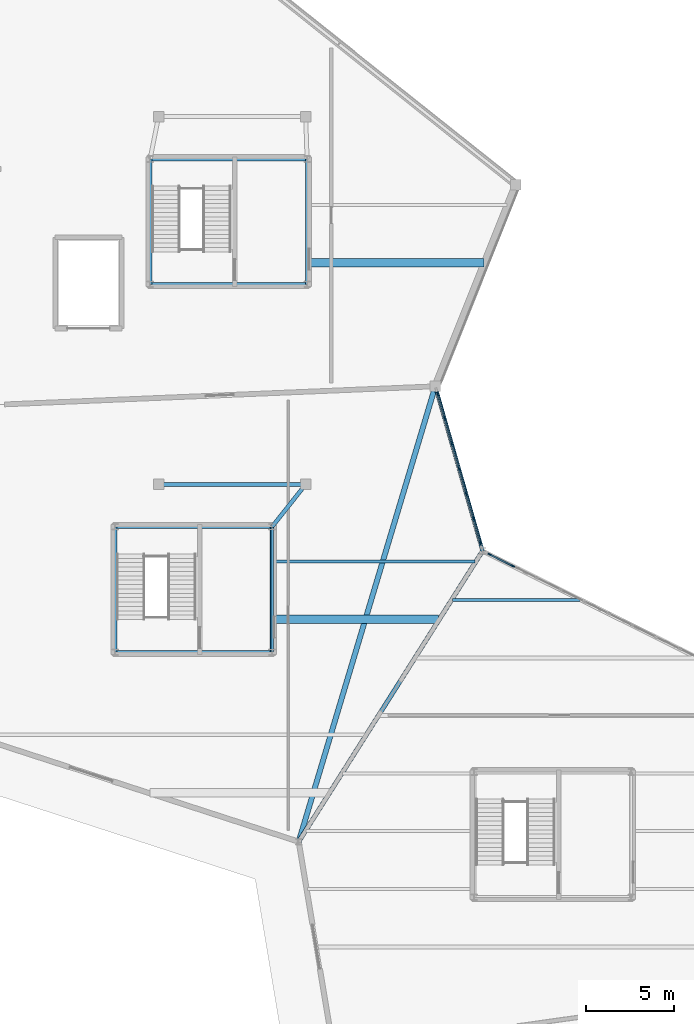
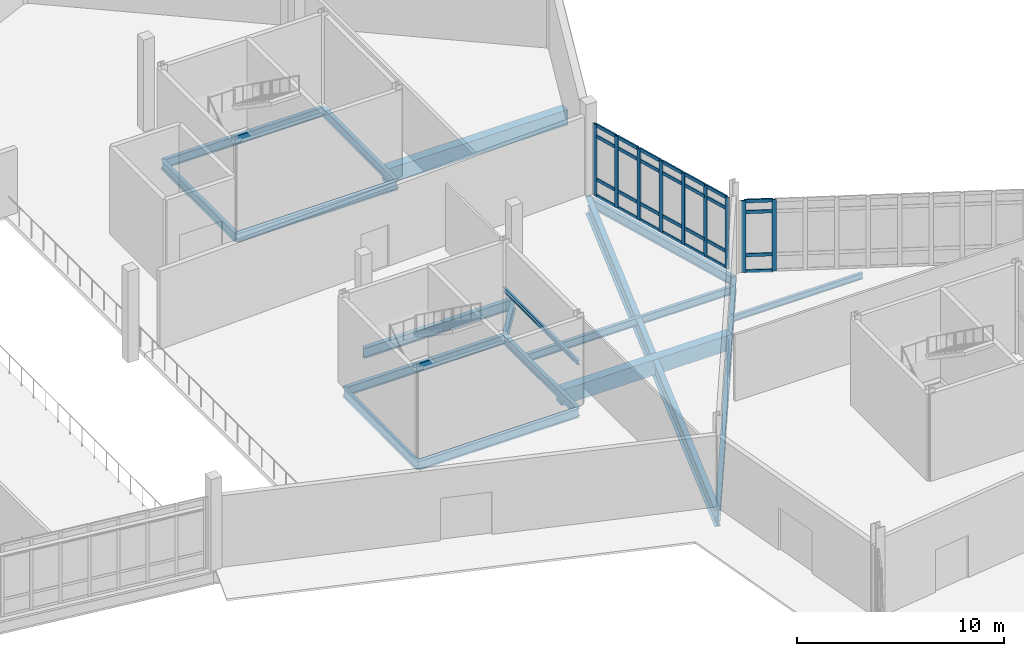
# One storey, part 46 of 113: 37 members, 18 beams, 2 elements without a shape of their own.
"""IFC4 building model written with IfcOpenShell, lengths in metres."""

from ifc_helpers import new_model, si_unit, direction, frame, origin, origin_2d, place, context, subcontext, project, spatial, rectangle, i_section, extrude, material, material_profile, profile_set, type_object, element, aggregate, save


model = new_model("IFC4")

# Units and contexts
model_context = context("Model", 3, precision=1e-05, world=origin(), true_north=direction((0.0, 1.0)))
body_context = subcontext(model_context, "Body", "Model", "MODEL_VIEW")
ifc_project = project(units=[si_unit("LENGTHUNIT", "METRE"), si_unit("AREAUNIT", "SQUARE_METRE"), si_unit("VOLUMEUNIT", "CUBIC_METRE"), si_unit("PLANEANGLEUNIT", "RADIAN"), si_unit("MASSUNIT", "GRAM", prefix="KILO")], contexts=[model_context])

# Site, building, storey
site_placement = place(None, origin())
site = spatial("IfcSite", under=ifc_project, at=site_placement, CompositionType="ELEMENT")
building_placement = place(site_placement, origin())
building = spatial("IfcBuilding", under=site, at=building_placement, Name="Tameran Prism Museum", CompositionType="ELEMENT")
storey_placement = place(building_placement, origin())
storey = spatial("IfcBuildingStorey", under=building, at=storey_placement, Name="L00", CompositionType="ELEMENT", Elevation=0.0)

# Beams
ifc_material_1 = material(Name="Steel Grade 300PLUS (300 MPa)", Category="steel")
ifc_material_profile_1 = material_profile(ifc_material_1, i_section(OverallWidth=0.1708984375, OverallDepth=0.35595703125, WebThickness=0.00732421875, FlangeThickness=0.011474609375, FilletRadius=0.011474609375, at=origin_2d()))
ifc_profile_set_1 = profile_set([ifc_material_profile_1])
beam_type_1 = type_object("IfcBeamType", Name="BM-J360B", PredefinedType="JOIST", material=ifc_profile_set_1)
beam_1_placement = place(storey_placement, frame((58.77587890625, 70.39990234375, -0.41796875), z_axis=(1.0, 0.0, 0.0), x_axis=(0.0, 1.0, 0.0)))
element("IfcBeam", 1, at=beam_1_placement, inside=storey, type_object=beam_type_1, Name="Floor Beam BM-0227", PredefinedType="JOIST", context=body_context, shape_type="SweptSolid", body=[
    extrude(i_section(OverallWidth=0.1708984375, OverallDepth=0.35595703125, WebThickness=0.00732421875, FlangeThickness=0.011474609375, FilletRadius=0.011474609375, at=origin_2d()), origin(), (0.0, 0.0, 1.0), 7.273193359375),
])
ifc_material_2 = material(Name="Steel Grade 300PLUS (300 MPa)", Category="steel")
ifc_material_profile_2 = material_profile(ifc_material_2, i_section(OverallWidth=0.19091796875, OverallDepth=0.4599609375, WebThickness=0.010009765625, FlangeThickness=0.01611328125, FilletRadius=0.011474609375, at=origin_2d()))
ifc_profile_set_2 = profile_set([ifc_material_profile_2])
beam_type_2 = type_object("IfcBeamType", Name="BM-J460A", PredefinedType="JOIST", material=ifc_profile_set_2)
beam_2_placement = place(storey_placement, frame((48.47998046875, 72.60009765625, -0.489990234375), z_axis=(1.0, 0.0, 0.0), x_axis=(0.0, 1.0, 0.0)))
element("IfcBeam", 2, at=beam_2_placement, inside=storey, type_object=beam_type_2, Name="Floor Beam BM-0289", PredefinedType="JOIST", context=body_context, shape_type="SweptSolid", body=[
    extrude(i_section(OverallWidth=0.19091796875, OverallDepth=0.4599609375, WebThickness=0.010009765625, FlangeThickness=0.01611328125, FilletRadius=0.011474609375, at=origin_2d()), origin(), (0.0, 0.0, 1.0), 11.593017578125),
])
ifc_material_3 = material(Name="Steel Grade 300PLUS (300 MPa)", Category="steel")
ifc_material_profile_3 = material_profile(ifc_material_3, i_section(OverallWidth=0.14599609375, OverallDepth=0.256103515625, WebThickness=0.00634765625, FlangeThickness=0.010986328125, FilletRadius=0.0087890625, at=origin_2d()))
ifc_profile_set_3 = profile_set([ifc_material_profile_3])
beam_type_3 = type_object("IfcBeamType", Name="BM-L250", PredefinedType="LINTEL", material=ifc_profile_set_3)
beam_3_placement = place(storey_placement, frame((48.47998046875, 67.419921875, 2.3798828125), z_axis=(0.0, 1.0, 0.0), x_axis=(-1.0, 0.0, 0.0)))
element("IfcBeam", 3, at=beam_3_placement, inside=storey, type_object=beam_type_3, Name="Core Door Lintel LN-07", PredefinedType="LINTEL", context=body_context, shape_type="SweptSolid", body=[
    extrude(i_section(OverallWidth=0.14599609375, OverallDepth=0.256103515625, WebThickness=0.00634765625, FlangeThickness=0.010986328125, FilletRadius=0.0087890625, at=origin_2d()), origin(), (0.0, 0.0, 1.0), 7.16015625),
])
ifc_material_4 = material(Name="Concrete N40 (40 MPa)", Category="concrete")
ifc_material_profile_4 = material_profile(ifc_material_4, rectangle(XDim=0.5, YDim=0.89990234375, at=origin_2d()))
ifc_profile_set_4 = profile_set([ifc_material_profile_4])
beam_type_4 = type_object("IfcBeamType", Name="BM-RC900", PredefinedType="BEAM", material=ifc_profile_set_4)
beam_4_placement = place(storey_placement, frame((48.47998046875, 69.300048828125, -0.7099609375), z_axis=(1.0, 0.0, 0.0), x_axis=(0.0, 1.0, 0.0)))
element("IfcBeam", 4, at=beam_4_placement, inside=storey, type_object=beam_type_4, Name="Floor Beam BM-0287", PredefinedType="BEAM", context=body_context, shape_type="SweptSolid", body=[
    extrude(rectangle(XDim=0.5, YDim=0.89990234375, at=origin_2d()), origin(), (0.0, 0.0, 1.0), 9.506103515625),
])
beam_5_placement = place(storey_placement, frame((50.47998046875, 89.64990234375, -0.7099609375), z_axis=(1.0, 0.0, 0.0), x_axis=(0.0, 1.0, 0.0)))
element("IfcBeam", 5, at=beam_5_placement, inside=storey, type_object=beam_type_4, Name="Floor Beam BM-0296", PredefinedType="BEAM", context=body_context, shape_type="SweptSolid", body=[
    extrude(rectangle(XDim=0.5, YDim=0.89990234375, at=origin_2d()), origin(), (0.0, 0.0, 1.0), 10.096923828125),
])
ifc_material_5 = material(Name="Steel Grade 300PLUS (300 MPa)", Category="steel")
ifc_material_profile_5 = material_profile(ifc_material_5, i_section(OverallWidth=0.208984375, OverallDepth=0.532958984375, WebThickness=0.01025390625, FlangeThickness=0.015625, FilletRadius=0.013916015625, at=origin_2d()))
ifc_profile_set_5 = profile_set([ifc_material_profile_5])
beam_type_5 = type_object("IfcBeamType", Name="BM-SP530A", PredefinedType="SPANDREL", material=ifc_profile_set_5)
beam_6_placement = place(storey_placement, frame((60.5, 73.199951171875, -0.526611328125), z_axis=(-0.276062724343, 0.96113962161, 0.0), x_axis=(-0.96113962161, -0.276062724343, 0.0)))
element("IfcBeam", 6, at=beam_6_placement, inside=storey, type_object=beam_type_5, Name="Perimeter Spandrel SP-0075", PredefinedType="SPANDREL", context=body_context, shape_type="SweptSolid", body=[
    extrude(i_section(OverallWidth=0.208984375, OverallDepth=0.532958984375, WebThickness=0.01025390625, FlangeThickness=0.015625, FilletRadius=0.013916015625, at=origin_2d()), origin(), (0.0, 0.0, 1.0), 9.7802734375),
])
ifc_material_6 = material(Name="Steel Grade 300PLUS (300 MPa)", Category="steel")
ifc_material_profile_6 = material_profile(ifc_material_6, i_section(OverallWidth=0.208984375, OverallDepth=0.528076171875, WebThickness=0.009521484375, FlangeThickness=0.01318359375, FilletRadius=0.013916015625, at=origin_2d()))
ifc_profile_set_6 = profile_set([ifc_material_profile_6])
beam_type_6 = type_object("IfcBeamType", Name="BM-SP530B", PredefinedType="SPANDREL", material=ifc_profile_set_6)
beam_7_placement = place(storey_placement, frame((39.52001953125, 67.419921875, -0.52392578125), z_axis=(1.0, 0.0, 0.0), x_axis=(0.0, 1.0, 0.0)))
element("IfcBeam", 7, at=beam_7_placement, inside=storey, type_object=beam_type_6, Name="Core Ring Beam CTB-0126", PredefinedType="SPANDREL", context=body_context, shape_type="SweptSolid", body=[
    extrude(i_section(OverallWidth=0.208984375, OverallDepth=0.528076171875, WebThickness=0.009521484375, FlangeThickness=0.01318359375, FilletRadius=0.013916015625, at=origin_2d()), origin(), (0.0, 0.0, 1.0), 8.9599609375),
])
beam_8_placement = place(storey_placement, frame((48.47998046875, 67.419921875, -0.52392578125), z_axis=(0.0, 1.0, 0.0), x_axis=(-1.0, 0.0, 0.0)))
element("IfcBeam", 8, at=beam_8_placement, inside=storey, type_object=beam_type_6, Name="Core Ring Beam CTB-0127", PredefinedType="SPANDREL", context=body_context, shape_type="SweptSolid", body=[
    extrude(i_section(OverallWidth=0.208984375, OverallDepth=0.528076171875, WebThickness=0.009521484375, FlangeThickness=0.01318359375, FilletRadius=0.013916015625, at=origin_2d()), origin(), (0.0, 0.0, 1.0), 7.16015625),
])
beam_9_placement = place(storey_placement, frame((48.47998046875, 74.580078125, -0.52392578125), z_axis=(-1.0, 0.0, 0.0), x_axis=(0.0, -1.0, 0.0)))
element("IfcBeam", 9, at=beam_9_placement, inside=storey, type_object=beam_type_6, Name="Core Ring Beam CTB-0128", PredefinedType="SPANDREL", context=body_context, shape_type="SweptSolid", body=[
    extrude(i_section(OverallWidth=0.208984375, OverallDepth=0.528076171875, WebThickness=0.009521484375, FlangeThickness=0.01318359375, FilletRadius=0.013916015625, at=origin_2d()), origin(), (0.0, 0.0, 1.0), 8.9599609375),
])
beam_10_placement = place(storey_placement, frame((39.52001953125, 74.580078125, -0.52392578125), z_axis=(0.0, -1.0, 0.0), x_axis=(1.0, 0.0, 0.0)))
element("IfcBeam", 10, at=beam_10_placement, inside=storey, type_object=beam_type_6, Name="Core Ring Beam CTB-0129", PredefinedType="SPANDREL", context=body_context, shape_type="SweptSolid", body=[
    extrude(i_section(OverallWidth=0.208984375, OverallDepth=0.528076171875, WebThickness=0.009521484375, FlangeThickness=0.01318359375, FilletRadius=0.013916015625, at=origin_2d()), origin(), (0.0, 0.0, 1.0), 7.16015625),
])
beam_11_placement = place(storey_placement, frame((41.52001953125, 88.419921875, -0.52392578125), z_axis=(1.0, 0.0, 0.0), x_axis=(0.0, 1.0, 0.0)))
element("IfcBeam", 11, at=beam_11_placement, inside=storey, type_object=beam_type_6, Name="Core Ring Beam CTB-0154", PredefinedType="SPANDREL", context=body_context, shape_type="SweptSolid", body=[
    extrude(i_section(OverallWidth=0.208984375, OverallDepth=0.528076171875, WebThickness=0.009521484375, FlangeThickness=0.01318359375, FilletRadius=0.013916015625, at=origin_2d()), origin(), (0.0, 0.0, 1.0), 8.9599609375),
])
beam_12_placement = place(storey_placement, frame((50.47998046875, 88.419921875, -0.52392578125), z_axis=(0.0, 1.0, 0.0), x_axis=(-1.0, 0.0, 0.0)))
element("IfcBeam", 12, at=beam_12_placement, inside=storey, type_object=beam_type_6, Name="Core Ring Beam CTB-0155", PredefinedType="SPANDREL", context=body_context, shape_type="SweptSolid", body=[
    extrude(i_section(OverallWidth=0.208984375, OverallDepth=0.528076171875, WebThickness=0.009521484375, FlangeThickness=0.01318359375, FilletRadius=0.013916015625, at=origin_2d()), origin(), (0.0, 0.0, 1.0), 7.16015625),
])
beam_13_placement = place(storey_placement, frame((50.47998046875, 95.580078125, -0.52392578125), z_axis=(-1.0, 0.0, 0.0), x_axis=(0.0, -1.0, 0.0)))
element("IfcBeam", 13, at=beam_13_placement, inside=storey, type_object=beam_type_6, Name="Core Ring Beam CTB-0156", PredefinedType="SPANDREL", context=body_context, shape_type="SweptSolid", body=[
    extrude(i_section(OverallWidth=0.208984375, OverallDepth=0.528076171875, WebThickness=0.009521484375, FlangeThickness=0.01318359375, FilletRadius=0.013916015625, at=origin_2d()), origin(), (0.0, 0.0, 1.0), 8.9599609375),
])
beam_14_placement = place(storey_placement, frame((41.52001953125, 95.580078125, -0.52392578125), z_axis=(0.0, -1.0, 0.0), x_axis=(1.0, 0.0, 0.0)))
element("IfcBeam", 14, at=beam_14_placement, inside=storey, type_object=beam_type_6, Name="Core Ring Beam CTB-0157", PredefinedType="SPANDREL", context=body_context, shape_type="SweptSolid", body=[
    extrude(i_section(OverallWidth=0.208984375, OverallDepth=0.528076171875, WebThickness=0.009521484375, FlangeThickness=0.01318359375, FilletRadius=0.013916015625, at=origin_2d()), origin(), (0.0, 0.0, 1.0), 7.16015625),
])
ifc_material_7 = material(Name="Steel Grade 350 (350 MPa)", Category="steel")
ifc_material_profile_7 = material_profile(ifc_material_7, i_section(OverallWidth=0.25, OverallDepth=0.699951171875, WebThickness=0.010009765625, FlangeThickness=0.02001953125, at=origin_2d()))
ifc_profile_set_7 = profile_set([ifc_material_profile_7])
beam_type_7 = type_object("IfcBeamType", Name="BM-SP700", PredefinedType="SPANDREL", material=ifc_profile_set_7)
beam_15_placement = place(storey_placement, frame((60.5, 73.199951171875, -0.610107421875), z_axis=(-0.534570878454, -0.845123645338, 0.0), x_axis=(0.845123645338, -0.534570878454, 0.0)))
element("IfcBeam", 15, at=beam_15_placement, inside=storey, type_object=beam_type_7, Name="Perimeter Spandrel SP-0036", PredefinedType="SPANDREL", context=body_context, shape_type="SweptSolid", body=[
    extrude(i_section(OverallWidth=0.25, OverallDepth=0.699951171875, WebThickness=0.010009765625, FlangeThickness=0.02001953125, at=origin_2d()), origin(), (0.0, 0.0, 1.0), 19.641845703125),
])
ifc_material_8 = material(Name="Steel Grade 300PLUS (300 MPa)", Category="steel")
ifc_material_profile_8 = material_profile(ifc_material_8, i_section(OverallWidth=0.22900390625, OverallDepth=0.612060546875, WebThickness=0.011962890625, FlangeThickness=0.01953125, FilletRadius=0.013916015625, at=origin_2d()))
ifc_profile_set_8 = profile_set([ifc_material_profile_8])
beam_type_8 = type_object("IfcBeamType", Name="BM-UB610A", PredefinedType="BEAM", material=ifc_profile_set_8)
beam_16_placement = place(storey_placement, frame((50.39990234375, 77.0, -0.56591796875), z_axis=(-0.621528541647, -0.783391518922, 0.0), x_axis=(0.783391518922, -0.621528541647, 0.0)))
element("IfcBeam", 16, at=beam_16_placement, inside=storey, type_object=beam_type_8, Name="Frame Tie Girder FG-1323", PredefinedType="BEAM", context=body_context, shape_type="SweptSolid", body=[
    extrude(i_section(OverallWidth=0.22900390625, OverallDepth=0.612060546875, WebThickness=0.011962890625, FlangeThickness=0.01953125, FilletRadius=0.013916015625, at=origin_2d()), origin(), (0.0, 0.0, 1.0), 3.089111328125),
])
beam_17_placement = place(storey_placement, frame((50.39990234375, 77.0, -0.56591796875), z_axis=(-1.0, 0.0, 0.0), x_axis=(0.0, -1.0, 0.0)))
element("IfcBeam", 17, at=beam_17_placement, inside=storey, type_object=beam_type_8, Name="Frame Tie Girder FG-1324", PredefinedType="BEAM", context=body_context, shape_type="SweptSolid", body=[
    extrude(i_section(OverallWidth=0.22900390625, OverallDepth=0.612060546875, WebThickness=0.011962890625, FlangeThickness=0.01953125, FilletRadius=0.013916015625, at=origin_2d()), origin(), (0.0, 0.0, 1.0), 8.39990234375),
])
ifc_material_9 = material(Name="Steel Grade 350 (350 MPa)", Category="steel")
ifc_material_profile_9 = material_profile(ifc_material_9, i_section(OverallWidth=0.300048828125, OverallDepth=1.0, WebThickness=0.01611328125, FlangeThickness=0.031982421875, at=origin_2d()))
ifc_profile_set_9 = profile_set([ifc_material_profile_9])
beam_type_9 = type_object("IfcBeamType", Name="BM-WB1000", PredefinedType="BEAM", material=ifc_profile_set_9)
beam_18_placement = place(storey_placement, frame((50.0, 56.60009765625, -0.760009765625), z_axis=(0.287349535842, 0.957825790137, 0.0), x_axis=(-0.957825790137, 0.287349535842, 0.0)))
element("IfcBeam", 18, at=beam_18_placement, inside=storey, type_object=beam_type_9, Name="Primary Vertex Girder PG-0079", PredefinedType="BEAM", context=body_context, shape_type="SweptSolid", body=[
    extrude(i_section(OverallWidth=0.300048828125, OverallDepth=1.0, WebThickness=0.01611328125, FlangeThickness=0.031982421875, at=origin_2d()), origin(), (0.0, 0.0, 1.0), 27.144775390625),
])

# Curtain wall, members
ifc_material_10 = material(Name="Anodised Aluminium 6063-T6 and Cyclone Solar Glass", Category="aluminium")
curtain_wall_type_1 = type_object("IfcCurtainWallType", Name="CW-FAC-1520x422", PredefinedType="USERDEFINED", material=ifc_material_10)
curtain_wall_1_placement = place(storey_placement, origin())
curtain_wall_1 = element("IfcCurtainWall", 19, at=curtain_wall_1_placement, inside=storey, type_object=curtain_wall_type_1, Name="Unitised Curtain Wall CW-034", ObjectType="UNITISED CURTAIN WALL", PredefinedType="USERDEFINED")
ifc_material_11 = material(Name="Anodised Aluminium Alloy 6063-T6", Category="aluminium")
ifc_material_profile_10 = material_profile(ifc_material_11, rectangle(XDim=0.080078125, YDim=0.219970703125, at=origin_2d()))
ifc_profile_set_10 = profile_set([ifc_material_profile_10])
member_type_1 = type_object("IfcMemberType", Name="CW-MUL-D", PredefinedType="MULLION", material=ifc_profile_set_10)
member_1_placement = place(storey_placement, frame((60.90283203125, 72.999267578125, 0.0), z_axis=(0.0, 0.0, 1.0), x_axis=(0.444633769593, 0.895712459966, 0.0)))
member_1 = element("IfcMember", 20, at=member_1_placement, type_object=member_type_1, Name="CW-034 mullion 1", PredefinedType="MULLION", context=body_context, shape_type="SweptSolid", body=[
    extrude(rectangle(XDim=0.080078125, YDim=0.219970703125, at=origin_2d()), origin(), (0.0, 0.0, 1.0), 4.219970703125),
])
member_2_placement = place(storey_placement, frame((62.22900390625, 72.3408203125, 0.0), z_axis=(0.0, 0.0, 1.0), x_axis=(0.444633769593, 0.895712459966, 0.0)))
member_2 = element("IfcMember", 21, at=member_2_placement, type_object=member_type_1, Name="CW-034 mullion 2", PredefinedType="MULLION", context=body_context, shape_type="SweptSolid", body=[
    extrude(rectangle(XDim=0.080078125, YDim=0.219970703125, at=origin_2d()), origin(), (0.0, 0.0, 1.0), 4.219970703125),
])

ifc_material_12 = material(Name="Anodised Aluminium 6063-T6 and Cyclone Solar Glass", Category="aluminium")
curtain_wall_type_2 = type_object("IfcCurtainWallType", Name="CW-FAC-896x422", PredefinedType="USERDEFINED", material=ifc_material_12)
curtain_wall_2_placement = place(storey_placement, origin())
curtain_wall_2 = element("IfcCurtainWall", 22, at=curtain_wall_2_placement, inside=storey, type_object=curtain_wall_type_2, Name="Unitised Curtain Wall CW-050", ObjectType="UNITISED CURTAIN WALL", PredefinedType="USERDEFINED")
member_3_placement = place(storey_placement, frame((57.925048828125, 82.16748046875, 0.0), z_axis=(0.0, 0.0, 1.0), x_axis=(0.961186288279, 0.275900197941, 0.0)))
member_3 = element("IfcMember", 23, at=member_3_placement, type_object=member_type_1, Name="CW-050 mullion 1", PredefinedType="MULLION", context=body_context, shape_type="SweptSolid", body=[
    extrude(rectangle(XDim=0.080078125, YDim=0.219970703125, at=origin_2d()), origin(), (0.0, 0.0, 1.0), 4.219970703125),
])
member_4_placement = place(storey_placement, frame((58.325927734375, 80.770751953125, 0.0), z_axis=(0.0, 0.0, 1.0), x_axis=(0.961186288279, 0.275900197941, 0.0)))
member_4 = element("IfcMember", 24, at=member_4_placement, type_object=member_type_1, Name="CW-050 mullion 2", PredefinedType="MULLION", context=body_context, shape_type="SweptSolid", body=[
    extrude(rectangle(XDim=0.080078125, YDim=0.219970703125, at=origin_2d()), origin(), (0.0, 0.0, 1.0), 4.219970703125),
])
member_5_placement = place(storey_placement, frame((58.738037109375, 79.33544921875, 0.0), z_axis=(0.0, 0.0, 1.0), x_axis=(0.961186288279, 0.275900197941, 0.0)))
member_5 = element("IfcMember", 25, at=member_5_placement, type_object=member_type_1, Name="CW-050 mullion 3", PredefinedType="MULLION", context=body_context, shape_type="SweptSolid", body=[
    extrude(rectangle(XDim=0.080078125, YDim=0.219970703125, at=origin_2d()), origin(), (0.0, 0.0, 1.0), 4.219970703125),
])
member_6_placement = place(storey_placement, frame((59.14990234375, 77.89990234375, 0.0), z_axis=(0.0, 0.0, 1.0), x_axis=(0.961186288279, 0.275900197941, 0.0)))
member_6 = element("IfcMember", 26, at=member_6_placement, type_object=member_type_1, Name="CW-050 mullion 4", PredefinedType="MULLION", context=body_context, shape_type="SweptSolid", body=[
    extrude(rectangle(XDim=0.080078125, YDim=0.219970703125, at=origin_2d()), origin(), (0.0, 0.0, 1.0), 4.219970703125),
])
member_7_placement = place(storey_placement, frame((59.56201171875, 76.464599609375, 0.0), z_axis=(0.0, 0.0, 1.0), x_axis=(0.961186288279, 0.275900197941, 0.0)))
member_7 = element("IfcMember", 27, at=member_7_placement, type_object=member_type_1, Name="CW-050 mullion 5", PredefinedType="MULLION", context=body_context, shape_type="SweptSolid", body=[
    extrude(rectangle(XDim=0.080078125, YDim=0.219970703125, at=origin_2d()), origin(), (0.0, 0.0, 1.0), 4.219970703125),
])
member_8_placement = place(storey_placement, frame((59.97412109375, 75.029296875, 0.0), z_axis=(0.0, 0.0, 1.0), x_axis=(0.961186288279, 0.275900197941, 0.0)))
member_8 = element("IfcMember", 28, at=member_8_placement, type_object=member_type_1, Name="CW-050 mullion 6", PredefinedType="MULLION", context=body_context, shape_type="SweptSolid", body=[
    extrude(rectangle(XDim=0.080078125, YDim=0.219970703125, at=origin_2d()), origin(), (0.0, 0.0, 1.0), 4.219970703125),
])
member_9_placement = place(storey_placement, frame((60.375, 73.632568359375, 0.0), z_axis=(0.0, 0.0, 1.0), x_axis=(0.961186288279, 0.275900197941, 0.0)))
member_9 = element("IfcMember", 29, at=member_9_placement, type_object=member_type_1, Name="CW-050 mullion 7", PredefinedType="MULLION", context=body_context, shape_type="SweptSolid", body=[
    extrude(rectangle(XDim=0.080078125, YDim=0.219970703125, at=origin_2d()), origin(), (0.0, 0.0, 1.0), 4.219970703125),
])

# Member
ifc_material_13 = material(Name="Anodised Aluminium Alloy 6063-T6", Category="aluminium")
ifc_material_profile_11 = material_profile(ifc_material_13, rectangle(XDim=0.080078125, YDim=0.195068359375, at=origin_2d()))
ifc_profile_set_11 = profile_set([ifc_material_profile_11])
member_type_2 = type_object("IfcMemberType", Name="CW-TRN-D", PredefinedType="USERDEFINED", material=ifc_profile_set_11)
member_10_placement = place(storey_placement, frame((60.938720703125, 72.9814453125, 0.0400390625), z_axis=(0.8956788041, -0.444701562721, 0.0), x_axis=(0.444701562721, 0.8956788041, 0.0)))
member_10 = element("IfcMember", 30, at=member_10_placement, type_object=member_type_2, Name="CW-034 transom 1.1", ObjectType="TRANSOM", PredefinedType="USERDEFINED", context=body_context, shape_type="SweptSolid", body=[
    extrude(rectangle(XDim=0.080078125, YDim=0.195068359375, at=origin_2d()), origin(), (0.0, 0.0, 1.0), 1.400390625),
])

member_11_placement = place(storey_placement, frame((60.938720703125, 72.9814453125, 1.0), z_axis=(0.8956788041, -0.444701562721, 0.0), x_axis=(0.444701562721, 0.8956788041, 0.0)))
member_11 = element("IfcMember", 31, at=member_11_placement, type_object=member_type_2, Name="CW-034 transom 1.2", ObjectType="TRANSOM", PredefinedType="USERDEFINED", context=body_context, shape_type="SweptSolid", body=[
    extrude(rectangle(XDim=0.080078125, YDim=0.195068359375, at=origin_2d()), origin(), (0.0, 0.0, 1.0), 1.400390625),
])

member_12_placement = place(storey_placement, frame((60.938720703125, 72.9814453125, 3.5400390625), z_axis=(0.8956788041, -0.444701562721, 0.0), x_axis=(0.444701562721, 0.8956788041, 0.0)))
member_12 = element("IfcMember", 32, at=member_12_placement, type_object=member_type_2, Name="CW-034 transom 1.3", ObjectType="TRANSOM", PredefinedType="USERDEFINED", context=body_context, shape_type="SweptSolid", body=[
    extrude(rectangle(XDim=0.080078125, YDim=0.195068359375, at=origin_2d()), origin(), (0.0, 0.0, 1.0), 1.400390625),
])

member_13_placement = place(storey_placement, frame((60.938720703125, 72.9814453125, 4.179931640625), z_axis=(0.8956788041, -0.444701562721, 0.0), x_axis=(0.444701562721, 0.8956788041, 0.0)))
member_13 = element("IfcMember", 33, at=member_13_placement, type_object=member_type_2, Name="CW-034 transom 1.4", ObjectType="TRANSOM", PredefinedType="USERDEFINED", context=body_context, shape_type="SweptSolid", body=[
    extrude(rectangle(XDim=0.080078125, YDim=0.195068359375, at=origin_2d()), origin(), (0.0, 0.0, 1.0), 1.400390625),
])

aggregate(curtain_wall_1, [member_1, member_2, member_10, member_11, member_12, member_13])

member_14_placement = place(storey_placement, frame((57.93603515625, 82.129150390625, 0.0400390625), z_axis=(0.275894858181, -0.961187820995, 0.0), x_axis=(0.961187820995, 0.275894858181, 0.0)))
member_14 = element("IfcMember", 34, at=member_14_placement, type_object=member_type_2, Name="CW-050 transom 1.1", ObjectType="TRANSOM", PredefinedType="USERDEFINED", context=body_context, shape_type="SweptSolid", body=[
    extrude(rectangle(XDim=0.080078125, YDim=0.195068359375, at=origin_2d()), origin(), (0.0, 0.0, 1.0), 1.373291015625),
])

member_15_placement = place(storey_placement, frame((57.93603515625, 82.129150390625, 1.0), z_axis=(0.275894858181, -0.961187820995, 0.0), x_axis=(0.961187820995, 0.275894858181, 0.0)))
member_15 = element("IfcMember", 35, at=member_15_placement, type_object=member_type_2, Name="CW-050 transom 1.2", ObjectType="TRANSOM", PredefinedType="USERDEFINED", context=body_context, shape_type="SweptSolid", body=[
    extrude(rectangle(XDim=0.080078125, YDim=0.195068359375, at=origin_2d()), origin(), (0.0, 0.0, 1.0), 1.373291015625),
])

member_16_placement = place(storey_placement, frame((57.93603515625, 82.129150390625, 3.5400390625), z_axis=(0.275894858181, -0.961187820995, 0.0), x_axis=(0.961187820995, 0.275894858181, 0.0)))
member_16 = element("IfcMember", 36, at=member_16_placement, type_object=member_type_2, Name="CW-050 transom 1.3", ObjectType="TRANSOM", PredefinedType="USERDEFINED", context=body_context, shape_type="SweptSolid", body=[
    extrude(rectangle(XDim=0.080078125, YDim=0.195068359375, at=origin_2d()), origin(), (0.0, 0.0, 1.0), 1.373291015625),
])

member_17_placement = place(storey_placement, frame((57.93603515625, 82.129150390625, 4.179931640625), z_axis=(0.275894858181, -0.961187820995, 0.0), x_axis=(0.961187820995, 0.275894858181, 0.0)))
member_17 = element("IfcMember", 37, at=member_17_placement, type_object=member_type_2, Name="CW-050 transom 1.4", ObjectType="TRANSOM", PredefinedType="USERDEFINED", context=body_context, shape_type="SweptSolid", body=[
    extrude(rectangle(XDim=0.080078125, YDim=0.195068359375, at=origin_2d()), origin(), (0.0, 0.0, 1.0), 1.373291015625),
])

member_18_placement = place(storey_placement, frame((58.3369140625, 80.732177734375, 0.0400390625), z_axis=(0.2760441483, -0.961144956908, 0.0), x_axis=(0.961144956908, 0.2760441483, 0.0)))
member_18 = element("IfcMember", 38, at=member_18_placement, type_object=member_type_2, Name="CW-050 transom 2.1", ObjectType="TRANSOM", PredefinedType="USERDEFINED", context=body_context, shape_type="SweptSolid", body=[
    extrude(rectangle(XDim=0.080078125, YDim=0.195068359375, at=origin_2d()), origin(), (0.0, 0.0, 1.0), 1.413330078125),
])

member_19_placement = place(storey_placement, frame((58.3369140625, 80.732177734375, 1.0), z_axis=(0.2760441483, -0.961144956908, 0.0), x_axis=(0.961144956908, 0.2760441483, 0.0)))
member_19 = element("IfcMember", 39, at=member_19_placement, type_object=member_type_2, Name="CW-050 transom 2.2", ObjectType="TRANSOM", PredefinedType="USERDEFINED", context=body_context, shape_type="SweptSolid", body=[
    extrude(rectangle(XDim=0.080078125, YDim=0.195068359375, at=origin_2d()), origin(), (0.0, 0.0, 1.0), 1.413330078125),
])

member_20_placement = place(storey_placement, frame((58.3369140625, 80.732177734375, 3.5400390625), z_axis=(0.2760441483, -0.961144956908, 0.0), x_axis=(0.961144956908, 0.2760441483, 0.0)))
member_20 = element("IfcMember", 40, at=member_20_placement, type_object=member_type_2, Name="CW-050 transom 2.3", ObjectType="TRANSOM", PredefinedType="USERDEFINED", context=body_context, shape_type="SweptSolid", body=[
    extrude(rectangle(XDim=0.080078125, YDim=0.195068359375, at=origin_2d()), origin(), (0.0, 0.0, 1.0), 1.413330078125),
])

member_21_placement = place(storey_placement, frame((58.3369140625, 80.732177734375, 4.179931640625), z_axis=(0.2760441483, -0.961144956908, 0.0), x_axis=(0.961144956908, 0.2760441483, 0.0)))
member_21 = element("IfcMember", 41, at=member_21_placement, type_object=member_type_2, Name="CW-050 transom 2.4", ObjectType="TRANSOM", PredefinedType="USERDEFINED", context=body_context, shape_type="SweptSolid", body=[
    extrude(rectangle(XDim=0.080078125, YDim=0.195068359375, at=origin_2d()), origin(), (0.0, 0.0, 1.0), 1.413330078125),
])

member_22_placement = place(storey_placement, frame((58.7490234375, 79.296875, 0.0400390625), z_axis=(0.275884556485, -0.961190777886, 0.0), x_axis=(0.961190777886, 0.275884556485, 0.0)))
member_22 = element("IfcMember", 42, at=member_22_placement, type_object=member_type_2, Name="CW-050 transom 3.1", ObjectType="TRANSOM", PredefinedType="USERDEFINED", context=body_context, shape_type="SweptSolid", body=[
    extrude(rectangle(XDim=0.080078125, YDim=0.195068359375, at=origin_2d()), origin(), (0.0, 0.0, 1.0), 1.413330078125),
])

member_23_placement = place(storey_placement, frame((58.7490234375, 79.296875, 1.0), z_axis=(0.275884556485, -0.961190777886, 0.0), x_axis=(0.961190777886, 0.275884556485, 0.0)))
member_23 = element("IfcMember", 43, at=member_23_placement, type_object=member_type_2, Name="CW-050 transom 3.2", ObjectType="TRANSOM", PredefinedType="USERDEFINED", context=body_context, shape_type="SweptSolid", body=[
    extrude(rectangle(XDim=0.080078125, YDim=0.195068359375, at=origin_2d()), origin(), (0.0, 0.0, 1.0), 1.413330078125),
])

member_24_placement = place(storey_placement, frame((58.7490234375, 79.296875, 3.5400390625), z_axis=(0.275884556485, -0.961190777886, 0.0), x_axis=(0.961190777886, 0.275884556485, 0.0)))
member_24 = element("IfcMember", 44, at=member_24_placement, type_object=member_type_2, Name="CW-050 transom 3.3", ObjectType="TRANSOM", PredefinedType="USERDEFINED", context=body_context, shape_type="SweptSolid", body=[
    extrude(rectangle(XDim=0.080078125, YDim=0.195068359375, at=origin_2d()), origin(), (0.0, 0.0, 1.0), 1.413330078125),
])

member_25_placement = place(storey_placement, frame((58.7490234375, 79.296875, 4.179931640625), z_axis=(0.275884556485, -0.961190777886, 0.0), x_axis=(0.961190777886, 0.275884556485, 0.0)))
member_25 = element("IfcMember", 45, at=member_25_placement, type_object=member_type_2, Name="CW-050 transom 3.4", ObjectType="TRANSOM", PredefinedType="USERDEFINED", context=body_context, shape_type="SweptSolid", body=[
    extrude(rectangle(XDim=0.080078125, YDim=0.195068359375, at=origin_2d()), origin(), (0.0, 0.0, 1.0), 1.413330078125),
])

member_26_placement = place(storey_placement, frame((59.1611328125, 77.861572265625, 0.0400390625), z_axis=(0.275884556485, -0.961190777886, 0.0), x_axis=(0.961190777886, 0.275884556485, 0.0)))
member_26 = element("IfcMember", 46, at=member_26_placement, type_object=member_type_2, Name="CW-050 transom 4.1", ObjectType="TRANSOM", PredefinedType="USERDEFINED", context=body_context, shape_type="SweptSolid", body=[
    extrude(rectangle(XDim=0.080078125, YDim=0.195068359375, at=origin_2d()), origin(), (0.0, 0.0, 1.0), 1.413330078125),
])

member_27_placement = place(storey_placement, frame((59.1611328125, 77.861572265625, 1.0), z_axis=(0.275884556485, -0.961190777886, 0.0), x_axis=(0.961190777886, 0.275884556485, 0.0)))
member_27 = element("IfcMember", 47, at=member_27_placement, type_object=member_type_2, Name="CW-050 transom 4.2", ObjectType="TRANSOM", PredefinedType="USERDEFINED", context=body_context, shape_type="SweptSolid", body=[
    extrude(rectangle(XDim=0.080078125, YDim=0.195068359375, at=origin_2d()), origin(), (0.0, 0.0, 1.0), 1.413330078125),
])

member_28_placement = place(storey_placement, frame((59.1611328125, 77.861572265625, 3.5400390625), z_axis=(0.275884556485, -0.961190777886, 0.0), x_axis=(0.961190777886, 0.275884556485, 0.0)))
member_28 = element("IfcMember", 48, at=member_28_placement, type_object=member_type_2, Name="CW-050 transom 4.3", ObjectType="TRANSOM", PredefinedType="USERDEFINED", context=body_context, shape_type="SweptSolid", body=[
    extrude(rectangle(XDim=0.080078125, YDim=0.195068359375, at=origin_2d()), origin(), (0.0, 0.0, 1.0), 1.413330078125),
])

member_29_placement = place(storey_placement, frame((59.1611328125, 77.861572265625, 4.179931640625), z_axis=(0.275884556485, -0.961190777886, 0.0), x_axis=(0.961190777886, 0.275884556485, 0.0)))
member_29 = element("IfcMember", 49, at=member_29_placement, type_object=member_type_2, Name="CW-050 transom 4.4", ObjectType="TRANSOM", PredefinedType="USERDEFINED", context=body_context, shape_type="SweptSolid", body=[
    extrude(rectangle(XDim=0.080078125, YDim=0.195068359375, at=origin_2d()), origin(), (0.0, 0.0, 1.0), 1.413330078125),
])

member_30_placement = place(storey_placement, frame((59.572998046875, 76.42626953125, 0.0400390625), z_axis=(0.275884556485, -0.961190777886, 0.0), x_axis=(0.961190777886, 0.275884556485, 0.0)))
member_30 = element("IfcMember", 50, at=member_30_placement, type_object=member_type_2, Name="CW-050 transom 5.1", ObjectType="TRANSOM", PredefinedType="USERDEFINED", context=body_context, shape_type="SweptSolid", body=[
    extrude(rectangle(XDim=0.080078125, YDim=0.195068359375, at=origin_2d()), origin(), (0.0, 0.0, 1.0), 1.413330078125),
])

member_31_placement = place(storey_placement, frame((59.572998046875, 76.42626953125, 1.0), z_axis=(0.275884556485, -0.961190777886, 0.0), x_axis=(0.961190777886, 0.275884556485, 0.0)))
member_31 = element("IfcMember", 51, at=member_31_placement, type_object=member_type_2, Name="CW-050 transom 5.2", ObjectType="TRANSOM", PredefinedType="USERDEFINED", context=body_context, shape_type="SweptSolid", body=[
    extrude(rectangle(XDim=0.080078125, YDim=0.195068359375, at=origin_2d()), origin(), (0.0, 0.0, 1.0), 1.413330078125),
])

member_32_placement = place(storey_placement, frame((59.572998046875, 76.42626953125, 3.5400390625), z_axis=(0.275884556485, -0.961190777886, 0.0), x_axis=(0.961190777886, 0.275884556485, 0.0)))
member_32 = element("IfcMember", 52, at=member_32_placement, type_object=member_type_2, Name="CW-050 transom 5.3", ObjectType="TRANSOM", PredefinedType="USERDEFINED", context=body_context, shape_type="SweptSolid", body=[
    extrude(rectangle(XDim=0.080078125, YDim=0.195068359375, at=origin_2d()), origin(), (0.0, 0.0, 1.0), 1.413330078125),
])

member_33_placement = place(storey_placement, frame((59.572998046875, 76.42626953125, 4.179931640625), z_axis=(0.275884556485, -0.961190777886, 0.0), x_axis=(0.961190777886, 0.275884556485, 0.0)))
member_33 = element("IfcMember", 53, at=member_33_placement, type_object=member_type_2, Name="CW-050 transom 5.4", ObjectType="TRANSOM", PredefinedType="USERDEFINED", context=body_context, shape_type="SweptSolid", body=[
    extrude(rectangle(XDim=0.080078125, YDim=0.195068359375, at=origin_2d()), origin(), (0.0, 0.0, 1.0), 1.413330078125),
])

member_34_placement = place(storey_placement, frame((59.985107421875, 74.990966796875, 0.0400390625), z_axis=(0.275894858181, -0.961187820995, 0.0), x_axis=(0.961187820995, 0.275894858181, 0.0)))
member_34 = element("IfcMember", 54, at=member_34_placement, type_object=member_type_2, Name="CW-050 transom 6.1", ObjectType="TRANSOM", PredefinedType="USERDEFINED", context=body_context, shape_type="SweptSolid", body=[
    extrude(rectangle(XDim=0.080078125, YDim=0.195068359375, at=origin_2d()), origin(), (0.0, 0.0, 1.0), 1.373291015625),
])

member_35_placement = place(storey_placement, frame((59.985107421875, 74.990966796875, 1.0), z_axis=(0.275894858181, -0.961187820995, 0.0), x_axis=(0.961187820995, 0.275894858181, 0.0)))
member_35 = element("IfcMember", 55, at=member_35_placement, type_object=member_type_2, Name="CW-050 transom 6.2", ObjectType="TRANSOM", PredefinedType="USERDEFINED", context=body_context, shape_type="SweptSolid", body=[
    extrude(rectangle(XDim=0.080078125, YDim=0.195068359375, at=origin_2d()), origin(), (0.0, 0.0, 1.0), 1.373291015625),
])

member_36_placement = place(storey_placement, frame((59.985107421875, 74.990966796875, 3.5400390625), z_axis=(0.275894858181, -0.961187820995, 0.0), x_axis=(0.961187820995, 0.275894858181, 0.0)))
member_36 = element("IfcMember", 56, at=member_36_placement, type_object=member_type_2, Name="CW-050 transom 6.3", ObjectType="TRANSOM", PredefinedType="USERDEFINED", context=body_context, shape_type="SweptSolid", body=[
    extrude(rectangle(XDim=0.080078125, YDim=0.195068359375, at=origin_2d()), origin(), (0.0, 0.0, 1.0), 1.373291015625),
])

member_37_placement = place(storey_placement, frame((59.985107421875, 74.990966796875, 4.179931640625), z_axis=(0.275894858181, -0.961187820995, 0.0), x_axis=(0.961187820995, 0.275894858181, 0.0)))
member_37 = element("IfcMember", 57, at=member_37_placement, type_object=member_type_2, Name="CW-050 transom 6.4", ObjectType="TRANSOM", PredefinedType="USERDEFINED", context=body_context, shape_type="SweptSolid", body=[
    extrude(rectangle(XDim=0.080078125, YDim=0.195068359375, at=origin_2d()), origin(), (0.0, 0.0, 1.0), 1.373291015625),
])

aggregate(curtain_wall_2, [member_3, member_4, member_5, member_6, member_7, member_8, member_9, member_14, member_15, member_16, member_17, member_18, member_19, member_20, member_21, member_22, member_23, member_24, member_25, member_26, member_27, member_28, member_29, member_30, member_31, member_32, member_33, member_34, member_35, member_36, member_37])

save(model, "model.ifc")
